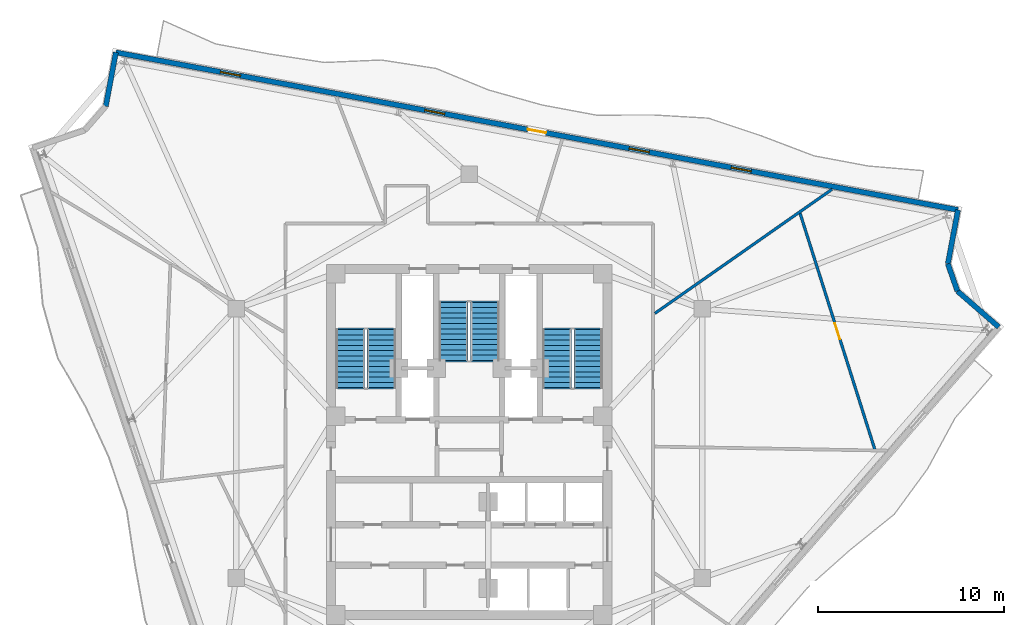
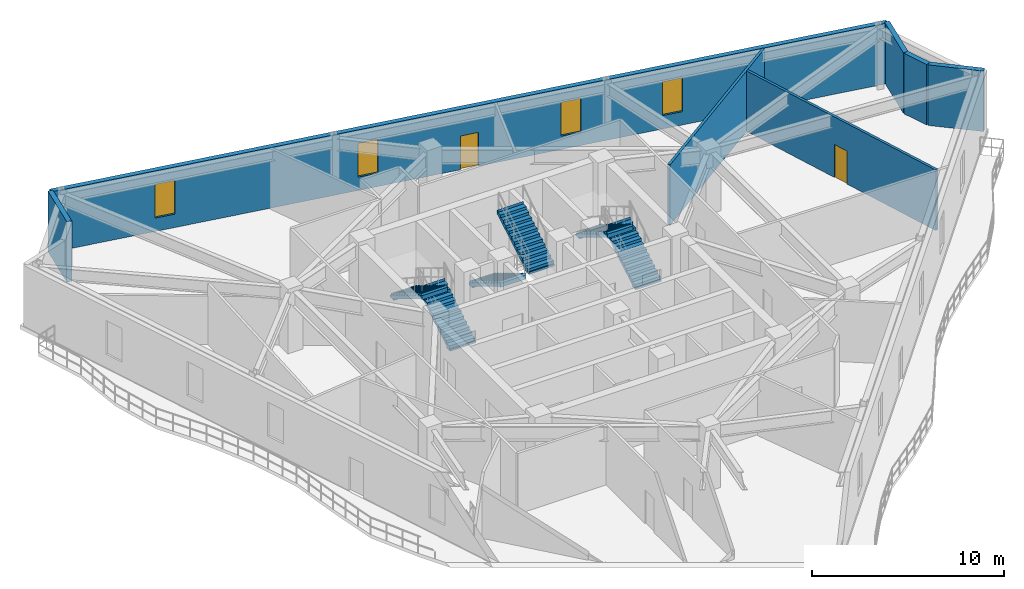
# One storey, part 7 of 10: 7 walls, 6 stair flights, 4 windows, 2 doors, 6 openings, 3 elements without a shape of their own.
"""IFC4 building model written with IfcOpenShell, lengths in metres."""

from ifc_helpers import new_model, si_unit, direction, frame, frame_2d, origin, place, context, subcontext, project, spatial, polyline, rectangle, outline, extrude, material, layer, layer_set, type_object, element, fill, aggregate, save


model = new_model("IFC4")

# Units and contexts
model_context = context("Model", 3, precision=1e-05, world=origin(), true_north=direction((0.0, 1.0)))
body_context = subcontext(model_context, "Body", "Model", "MODEL_VIEW")
ifc_project = project(units=[si_unit("LENGTHUNIT", "METRE"), si_unit("AREAUNIT", "SQUARE_METRE"), si_unit("VOLUMEUNIT", "CUBIC_METRE"), si_unit("PLANEANGLEUNIT", "RADIAN"), si_unit("MASSUNIT", "GRAM", prefix="KILO")], contexts=[model_context])

# Site, building, storey
site_placement = place(None, origin())
site = spatial("IfcSite", under=ifc_project, at=site_placement, CompositionType="ELEMENT")
building_placement = place(site_placement, origin())
building = spatial("IfcBuilding", under=site, at=building_placement, Name="Apsidion Concourse Tower", CompositionType="ELEMENT")
storey_placement = place(building_placement, frame((0.0, 0.0, 265.5)))
storey = spatial("IfcBuildingStorey", under=building, at=storey_placement, Name="L62", CompositionType="ELEMENT", Elevation=265.5)

# Wall, openings, door, windows
ifc_material_1 = material(Name="Precast concrete C40/50", Category="concrete")
ifc_layer_1 = layer(ifc_material_1, 0.280029296875)
ifc_layer_set_1 = layer_set([ifc_layer_1], Name="Precast concrete C40/50")
wall_type_1 = type_object("IfcWallType", Name="WL-EXT-280", PredefinedType="STANDARD", material=ifc_layer_set_1)
wall_1_placement = place(storey_placement, frame((-19.04150390625, 21.06640625, 0.0), z_axis=(0.0, 0.0, 1.0), x_axis=(0.982948140881, -0.183882985453, 0.0)))
wall_1 = element("IfcWall", 1, at=wall_1_placement, inside=storey, type_object=wall_type_1, Name="L62 Precast Stone Facade Wall 01", PredefinedType="STANDARD", context=body_context, shape_type="SweptSolid", body=[
    extrude(rectangle(XDim=46.16259765625, YDim=0.280029296875, at=frame_2d((23.081298828125, 0.0))), origin(), (0.0, 0.0, 1.0), 3.85009765625),
])
opening_1_placement = place(wall_1_placement, frame((22.581298828125, 0.0, 0.0)))
opening_1 = element("IfcOpeningElement", 2, at=opening_1_placement, cuts=wall_1, Name="Opening D-T1L", PredefinedType="OPENING", context=body_context, shape_type="SweptSolid", body=[
    extrude(rectangle(XDim=1.0, YDim=2.14990234375, at=frame_2d((0.5, 1.074951171875))), frame((0.0, 0.14990234375, 0.0), z_axis=(0.0, -1.0, 0.0), x_axis=(1.0, 0.0, 0.0)), (0.0, 0.0, 1.0), 0.300048828125),
])
opening_2_placement = place(wall_1_placement, frame((5.731201171875, 0.0, 0.85009765625)))
opening_2 = element("IfcOpeningElement", 3, at=opening_2_placement, cuts=wall_1, Name="Opening WN-07", PredefinedType="OPENING", context=body_context, shape_type="SweptSolid", body=[
    extrude(rectangle(XDim=1.10009765625, YDim=2.14990234375, at=frame_2d((0.550048828125, 1.074951171875))), frame((0.0, 0.14990234375, 0.0), z_axis=(0.0, -1.0, 0.0), x_axis=(1.0, 0.0, 0.0)), (0.0, 0.0, 1.0), 0.300048828125),
])
opening_3_placement = place(wall_1_placement, frame((16.931396484375, 0.0, 0.85009765625)))
opening_3 = element("IfcOpeningElement", 4, at=opening_3_placement, cuts=wall_1, Name="Opening WN-07", PredefinedType="OPENING", context=body_context, shape_type="SweptSolid", body=[
    extrude(rectangle(XDim=1.10009765625, YDim=2.14990234375, at=frame_2d((0.550048828125, 1.074951171875))), frame((0.0, 0.14990234375, 0.0), z_axis=(0.0, -1.0, 0.0), x_axis=(1.0, 0.0, 0.0)), (0.0, 0.0, 1.0), 0.300048828125),
])
opening_4_placement = place(wall_1_placement, frame((28.13134765625, 0.0, 0.85009765625)))
opening_4 = element("IfcOpeningElement", 5, at=opening_4_placement, cuts=wall_1, Name="Opening WN-07", PredefinedType="OPENING", context=body_context, shape_type="SweptSolid", body=[
    extrude(rectangle(XDim=1.10009765625, YDim=2.14990234375, at=frame_2d((0.550048828125, 1.074951171875))), frame((0.0, 0.14990234375, 0.0), z_axis=(0.0, -1.0, 0.0), x_axis=(1.0, 0.0, 0.0)), (0.0, 0.0, 1.0), 0.300048828125),
])
opening_5_placement = place(wall_1_placement, frame((33.731201171875, 0.0, 0.85009765625)))
opening_5 = element("IfcOpeningElement", 6, at=opening_5_placement, cuts=wall_1, Name="Opening WN-07", PredefinedType="OPENING", context=body_context, shape_type="SweptSolid", body=[
    extrude(rectangle(XDim=1.10009765625, YDim=2.14990234375, at=frame_2d((0.550048828125, 1.074951171875))), frame((0.0, 0.14990234375, 0.0), z_axis=(0.0, -1.0, 0.0), x_axis=(1.0, 0.0, 0.0)), (0.0, 0.0, 1.0), 0.300048828125),
])
ifc_material_2 = material(Name="Anodised aluminium EN AW-6063 T6", Category="aluminium")
door_type_1 = type_object("IfcDoorType", Name="DR-TER-1022L", OperationType="SINGLE_SWING_LEFT", PredefinedType="DOOR", material=ifc_material_2)
door_1_placement = place(opening_1_placement, origin())
door_1 = element("IfcDoor", 7, at=door_1_placement, inside=storey, type_object=door_type_1, Name="L62 Balcony Access Door 3", OperationType="SINGLE_SWING_LEFT", OverallHeight=2.14990234375, OverallWidth=1.0, PredefinedType="DOOR", context=body_context, shape_type="SweptSolid", body=[
    extrude(rectangle(XDim=1.0, YDim=2.14990234375, at=frame_2d((0.5, 1.074951171875))), frame((0.0, 0.02490234375, 0.0), z_axis=(0.0, -1.0, 0.0), x_axis=(1.0, 0.0, 0.0)), (0.0, 0.0, 1.0), 0.050048828125),
])
fill(opening_1, door_1)
ifc_material_3 = material(Name="Insulated laminated low-E glass", Category="glass")
window_type = type_object("IfcWindowType", Name="WN-OFF-1123", PartitioningType="SINGLE_PANEL", PredefinedType="WINDOW", material=ifc_material_3)
window_1_placement = place(opening_2_placement, origin())
window_1 = element("IfcWindow", 8, at=window_1_placement, inside=storey, type_object=window_type, Name="L62 Punched Facade Window 1-01", OverallHeight=2.14990234375, OverallWidth=1.10009765625, PartitioningType="SINGLE_PANEL", PredefinedType="WINDOW", context=body_context, shape_type="SweptSolid", body=[
    extrude(rectangle(XDim=1.10009765625, YDim=2.14990234375, at=frame_2d((0.550048828125, 1.074951171875))), frame((0.0, 0.030029296875, 0.0), z_axis=(0.0, -1.0, 0.0), x_axis=(1.0, 0.0, 0.0)), (0.0, 0.0, 1.0), 0.06005859375),
])
fill(opening_2, window_1)
window_2_placement = place(opening_3_placement, origin())
window_2 = element("IfcWindow", 9, at=window_2_placement, inside=storey, type_object=window_type, Name="L62 Punched Facade Window 1-03", OverallHeight=2.14990234375, OverallWidth=1.10009765625, PartitioningType="SINGLE_PANEL", PredefinedType="WINDOW", context=body_context, shape_type="SweptSolid", body=[
    extrude(rectangle(XDim=1.10009765625, YDim=2.14990234375, at=frame_2d((0.550048828125, 1.074951171875))), frame((0.0, 0.030029296875, 0.0), z_axis=(0.0, -1.0, 0.0), x_axis=(1.0, 0.0, 0.0)), (0.0, 0.0, 1.0), 0.06005859375),
])
fill(opening_3, window_2)
window_3_placement = place(opening_4_placement, origin())
window_3 = element("IfcWindow", 10, at=window_3_placement, inside=storey, type_object=window_type, Name="L62 Punched Facade Window 1-05", OverallHeight=2.14990234375, OverallWidth=1.10009765625, PartitioningType="SINGLE_PANEL", PredefinedType="WINDOW", context=body_context, shape_type="SweptSolid", body=[
    extrude(rectangle(XDim=1.10009765625, YDim=2.14990234375, at=frame_2d((0.550048828125, 1.074951171875))), frame((0.0, 0.030029296875, 0.0), z_axis=(0.0, -1.0, 0.0), x_axis=(1.0, 0.0, 0.0)), (0.0, 0.0, 1.0), 0.06005859375),
])
fill(opening_4, window_3)
window_4_placement = place(opening_5_placement, origin())
window_4 = element("IfcWindow", 11, at=window_4_placement, inside=storey, type_object=window_type, Name="L62 Punched Facade Window 1-06", OverallHeight=2.14990234375, OverallWidth=1.10009765625, PartitioningType="SINGLE_PANEL", PredefinedType="WINDOW", context=body_context, shape_type="SweptSolid", body=[
    extrude(rectangle(XDim=1.10009765625, YDim=2.14990234375, at=frame_2d((0.550048828125, 1.074951171875))), frame((0.0, 0.030029296875, 0.0), z_axis=(0.0, -1.0, 0.0), x_axis=(1.0, 0.0, 0.0)), (0.0, 0.0, 1.0), 0.06005859375),
])
fill(opening_5, window_4)

# Walls
wall_2_placement = place(storey_placement, frame((26.333984375, 12.577880859375, 0.0), z_axis=(0.0, 0.0, 1.0), x_axis=(-0.183929325972, -0.982939470694, 0.0)))
element("IfcWall", 12, at=wall_2_placement, inside=storey, type_object=wall_type_1, Name="L62 Precast Stone Facade Wall 02", PredefinedType="STANDARD", context=body_context, shape_type="SweptSolid", body=[
    extrude(rectangle(XDim=2.95458984375, YDim=0.280029296875, at=frame_2d((1.477294921875, 0.0))), origin(), (0.0, 0.0, 1.0), 3.85009765625),
])
wall_3_placement = place(storey_placement, frame((25.79052734375, 9.673583984375, 0.0), z_axis=(0.0, 0.0, 1.0), x_axis=(0.328922695325, -0.944356850189, 0.0)))
element("IfcWall", 13, at=wall_3_placement, inside=storey, type_object=wall_type_1, Name="L62 Precast Stone Facade Wall 03", PredefinedType="STANDARD", context=body_context, shape_type="SweptSolid", body=[
    extrude(rectangle(XDim=1.55419921875, YDim=0.280029296875, at=frame_2d((0.777099609375, 0.0))), origin(), (0.0, 0.0, 1.0), 3.85009765625),
])
wall_4_placement = place(storey_placement, frame((26.3017578125, 8.205810546875, 0.0), z_axis=(0.0, 0.0, 1.0), x_axis=(0.754717590568, -0.656049814028, 0.0)))
element("IfcWall", 14, at=wall_4_placement, inside=storey, type_object=wall_type_1, Name="L62 Precast Stone Facade Wall 04", PredefinedType="STANDARD", context=body_context, shape_type="SweptSolid", body=[
    extrude(rectangle(XDim=2.954345703125, YDim=0.280029296875, at=frame_2d((1.47705078125, 0.0))), origin(), (0.0, 0.0, 1.0), 3.85009765625),
])
wall_5_placement = place(storey_placement, frame((-19.5849609375, 18.1611328125, 0.0), z_axis=(0.0, 0.0, 1.0), x_axis=(0.183869591509, 0.982950646431, 0.0)))
element("IfcWall", 15, at=wall_5_placement, inside=storey, type_object=wall_type_1, Name="L62 Precast Stone Facade Wall 12", PredefinedType="STANDARD", context=body_context, shape_type="SweptSolid", body=[
    extrude(rectangle(XDim=2.95556640625, YDim=0.280029296875, at=frame_2d((1.477783203125, 0.0))), origin(), (0.0, 0.0, 1.0), 3.85009765625),
])
ifc_material_4 = material(Name="Gypsum plasterboard partition")
ifc_layer_2 = layer(ifc_material_4, 0.14990234375)
ifc_layer_set_2 = layer_set([ifc_layer_2], Name="Gypsum plasterboard partition")
wall_type_2 = type_object("IfcWallType", Name="WL-INT-PAR-150", PredefinedType="PARTITIONING", material=ifc_layer_set_2)
wall_6_placement = place(storey_placement, frame((10.0048828125, 7.005615234375, 0.0), z_axis=(0.0, 0.0, 1.0), x_axis=(0.819159076048, 0.573566393828, 0.0)))
element("IfcWall", 16, at=wall_6_placement, inside=storey, type_object=wall_type_2, Name="L62 Interior Partition WL-L62-RAD-01-1", PredefinedType="PARTITIONING", context=body_context, shape_type="SweptSolid", body=[
    extrude(rectangle(XDim=11.652587890625, YDim=0.14990234375, at=frame_2d((5.826171875, 0.0))), origin(), (0.0, 0.0, 1.0), 3.85009765625),
])

# Wall, opening, door
wall_7_placement = place(storey_placement, frame((21.86181640625, -0.356689453125, 0.0), z_axis=(0.0, 0.0, 1.0), x_axis=(-0.301726678662, 0.95339446788, 0.0)))
wall_7 = element("IfcWall", 17, at=wall_7_placement, inside=storey, type_object=wall_type_2, Name="L62 Interior Partition WL-L62-CHD-OFS05", PredefinedType="PARTITIONING", context=body_context, shape_type="SweptSolid", body=[
    extrude(rectangle(XDim=13.423828125, YDim=0.14990234375, at=frame_2d((6.7119140625, 0.0))), origin(), (0.0, 0.0, 1.0), 3.85009765625),
])
opening_6_placement = place(wall_7_placement, frame((6.26171875, 0.0, 0.0)))
opening_6 = element("IfcOpeningElement", 18, at=opening_6_placement, cuts=wall_7, Name="Opening D-02R", PredefinedType="OPENING", context=body_context, shape_type="SweptSolid", body=[
    extrude(rectangle(XDim=0.89990234375, YDim=2.10009765625, at=frame_2d((0.449951171875, 1.050048828125))), frame((0.0, 0.0849609375, 0.0), z_axis=(0.0, -1.0, 0.0), x_axis=(1.0, 0.0, 0.0)), (0.0, 0.0, 1.0), 0.169921875),
])
door_type_2 = type_object("IfcDoorType", Name="DR-INT-D02R", OperationType="SINGLE_SWING_RIGHT", PredefinedType="DOOR", material=ifc_material_2)
door_2_placement = place(opening_6_placement, origin())
door_2 = element("IfcDoor", 19, at=door_2_placement, inside=storey, type_object=door_type_2, Name="L62 Suite Connecting Door OFS05", OperationType="SINGLE_SWING_RIGHT", OverallHeight=2.10009765625, OverallWidth=0.89990234375, PredefinedType="DOOR", context=body_context, shape_type="SweptSolid", body=[
    extrude(rectangle(XDim=0.89990234375, YDim=2.10009765625, at=frame_2d((0.449951171875, 1.050048828125))), frame((0.0, 0.02490234375, 0.0), z_axis=(0.0, -1.0, 0.0), x_axis=(1.0, 0.0, 0.0)), (0.0, 0.0, 1.0), 0.050048828125),
])
fill(opening_6, door_2)

# Stair, stair flights
stair_type = type_object("IfcStairType", Name="ST-DL-1550", PredefinedType="HALF_TURN_STAIR", material=ifc_material_1)
stair_1_placement = place(storey_placement, origin())
stair_1 = element("IfcStair", 20, at=stair_1_placement, inside=storey, type_object=stair_type, Name="L62 Protected Core Exit Stair ST1", PredefinedType="HALF_TURN_STAIR")
stair_flight_type = type_object("IfcStairFlightType", Name="SFL-RC-1550", PredefinedType="STRAIGHT", material=ifc_material_1)
stair_flight_1_placement = place(storey_placement, frame((-4.72509765625, 3.0, 0.0), z_axis=(0.0, 0.0, 1.0), x_axis=(0.0, 1.0, 0.0)))
stair_flight_1 = element("IfcStairFlight", 21, at=stair_flight_1_placement, type_object=stair_flight_type, Name="ST1 flight 1", NumberOfRisers=12, NumberOfTreads=11, PredefinedType="STRAIGHT", RiserHeight=0.170833333, TreadLength=0.285, context=body_context, shape_type="SweptSolid", body=[
    extrude(outline(polyline([(-0.080078125, -0.1123046875), (-0.080078125, 0.0), (0.0, 0.0), (0.0, 0.1708984375), (0.284912109375, 0.1708984375), (0.284912109375, 0.341552734375), (0.570068359375, 0.341552734375), (0.570068359375, 0.512451171875), (0.85498046875, 0.512451171875), (0.85498046875, 0.683349609375), (1.139892578125, 0.683349609375), (1.139892578125, 0.854248046875), (1.425048828125, 0.854248046875), (1.425048828125, 1.02490234375), (1.7099609375, 1.02490234375), (1.7099609375, 1.19580078125), (1.9951171875, 1.19580078125), (1.9951171875, 1.36669921875), (2.280029296875, 1.36669921875), (2.280029296875, 1.53759765625), (2.56494140625, 1.53759765625), (2.56494140625, 1.708251953125), (2.85009765625, 1.708251953125), (2.85009765625, 1.879150390625), (3.135009765625, 1.879150390625), (3.135009765625, 2.050048828125), (3.215087890625, 1.964599609375), (3.215087890625, 1.704345703125), (3.135009765625, 1.704345703125), (0.29150390625, 0.0), (0.29150390625, -0.1123046875), (-0.080078125, -0.1123046875)])), frame((0.0, 0.77490234375, 0.0), z_axis=(0.0, -1.0, 0.0), x_axis=(1.0, 0.0, 0.0)), (0.0, 0.0, 1.0), 1.550048828125),
])
stair_flight_2_placement = place(storey_placement, frame((-6.425048828125, 6.135009765625, 2.050048828125), z_axis=(0.0, 0.0, 1.0), x_axis=(0.0, -1.0, 0.0)))
stair_flight_2 = element("IfcStairFlight", 22, at=stair_flight_2_placement, type_object=stair_flight_type, Name="ST1 flight 2", NumberOfRisers=12, NumberOfTreads=11, PredefinedType="STRAIGHT", RiserHeight=0.170833333, TreadLength=0.285, context=body_context, shape_type="SweptSolid", body=[
    extrude(outline(polyline([(-0.080078125, -0.1123046875), (-0.080078125, 0.0), (0.0, 0.0), (0.0, 0.1708984375), (0.284912109375, 0.1708984375), (0.284912109375, 0.341552734375), (0.570068359375, 0.341552734375), (0.570068359375, 0.512451171875), (0.85498046875, 0.512451171875), (0.85498046875, 0.683349609375), (1.139892578125, 0.683349609375), (1.139892578125, 0.854248046875), (1.425048828125, 0.854248046875), (1.425048828125, 1.02490234375), (1.7099609375, 1.02490234375), (1.7099609375, 1.19580078125), (1.9951171875, 1.19580078125), (1.9951171875, 1.36669921875), (2.280029296875, 1.36669921875), (2.280029296875, 1.53759765625), (2.56494140625, 1.53759765625), (2.56494140625, 1.708251953125), (2.85009765625, 1.708251953125), (2.85009765625, 1.879150390625), (3.135009765625, 1.879150390625), (3.135009765625, 2.050048828125), (3.215087890625, 1.964599609375), (3.215087890625, 1.704345703125), (3.135009765625, 1.704345703125), (0.29150390625, 0.0), (0.29150390625, -0.1123046875), (-0.080078125, -0.1123046875)])), frame((0.0, 0.77490234375, 0.0), z_axis=(0.0, -1.0, 0.0), x_axis=(1.0, 0.0, 0.0)), (0.0, 0.0, 1.0), 1.550048828125),
])
aggregate(stair_1, [stair_flight_1, stair_flight_2])

stair_2_placement = place(storey_placement, origin())
stair_2 = element("IfcStair", 23, at=stair_2_placement, inside=storey, type_object=stair_type, Name="L62 Protected Core Exit Stair ST2", PredefinedType="HALF_TURN_STAIR")
stair_flight_3_placement = place(storey_placement, frame((6.425048828125, 3.0, 0.0), z_axis=(0.0, 0.0, 1.0), x_axis=(0.0, 1.0, 0.0)))
stair_flight_3 = element("IfcStairFlight", 24, at=stair_flight_3_placement, type_object=stair_flight_type, Name="ST2 flight 1", NumberOfRisers=12, NumberOfTreads=11, PredefinedType="STRAIGHT", RiserHeight=0.170833333, TreadLength=0.285, context=body_context, shape_type="SweptSolid", body=[
    extrude(outline(polyline([(-0.080078125, -0.1123046875), (-0.080078125, 0.0), (0.0, 0.0), (0.0, 0.1708984375), (0.284912109375, 0.1708984375), (0.284912109375, 0.341552734375), (0.570068359375, 0.341552734375), (0.570068359375, 0.512451171875), (0.85498046875, 0.512451171875), (0.85498046875, 0.683349609375), (1.139892578125, 0.683349609375), (1.139892578125, 0.854248046875), (1.425048828125, 0.854248046875), (1.425048828125, 1.02490234375), (1.7099609375, 1.02490234375), (1.7099609375, 1.19580078125), (1.9951171875, 1.19580078125), (1.9951171875, 1.36669921875), (2.280029296875, 1.36669921875), (2.280029296875, 1.53759765625), (2.56494140625, 1.53759765625), (2.56494140625, 1.708251953125), (2.85009765625, 1.708251953125), (2.85009765625, 1.879150390625), (3.135009765625, 1.879150390625), (3.135009765625, 2.050048828125), (3.215087890625, 1.964599609375), (3.215087890625, 1.704345703125), (3.135009765625, 1.704345703125), (0.29150390625, 0.0), (0.29150390625, -0.1123046875), (-0.080078125, -0.1123046875)])), frame((0.0, 0.77490234375, 0.0), z_axis=(0.0, -1.0, 0.0), x_axis=(1.0, 0.0, 0.0)), (0.0, 0.0, 1.0), 1.550048828125),
])
stair_flight_4_placement = place(storey_placement, frame((4.72509765625, 6.135009765625, 2.050048828125), z_axis=(0.0, 0.0, 1.0), x_axis=(0.0, -1.0, 0.0)))
stair_flight_4 = element("IfcStairFlight", 25, at=stair_flight_4_placement, type_object=stair_flight_type, Name="ST2 flight 2", NumberOfRisers=12, NumberOfTreads=11, PredefinedType="STRAIGHT", RiserHeight=0.170833333, TreadLength=0.285, context=body_context, shape_type="SweptSolid", body=[
    extrude(outline(polyline([(-0.080078125, -0.1123046875), (-0.080078125, 0.0), (0.0, 0.0), (0.0, 0.1708984375), (0.284912109375, 0.1708984375), (0.284912109375, 0.341552734375), (0.570068359375, 0.341552734375), (0.570068359375, 0.512451171875), (0.85498046875, 0.512451171875), (0.85498046875, 0.683349609375), (1.139892578125, 0.683349609375), (1.139892578125, 0.854248046875), (1.425048828125, 0.854248046875), (1.425048828125, 1.02490234375), (1.7099609375, 1.02490234375), (1.7099609375, 1.19580078125), (1.9951171875, 1.19580078125), (1.9951171875, 1.36669921875), (2.280029296875, 1.36669921875), (2.280029296875, 1.53759765625), (2.56494140625, 1.53759765625), (2.56494140625, 1.708251953125), (2.85009765625, 1.708251953125), (2.85009765625, 1.879150390625), (3.135009765625, 1.879150390625), (3.135009765625, 2.050048828125), (3.215087890625, 1.964599609375), (3.215087890625, 1.704345703125), (3.135009765625, 1.704345703125), (0.29150390625, 0.0), (0.29150390625, -0.1123046875), (-0.080078125, -0.1123046875)])), frame((0.0, 0.77490234375, 0.0), z_axis=(0.0, -1.0, 0.0), x_axis=(1.0, 0.0, 0.0)), (0.0, 0.0, 1.0), 1.550048828125),
])
aggregate(stair_2, [stair_flight_3, stair_flight_4])

stair_3_placement = place(storey_placement, origin())
stair_3 = element("IfcStair", 26, at=stair_3_placement, inside=storey, type_object=stair_type, Name="L62 Protected Core Exit Stair ST3", PredefinedType="HALF_TURN_STAIR")
stair_flight_5_placement = place(storey_placement, frame((-0.85009765625, 7.60009765625, 0.0), z_axis=(0.0, 0.0, 1.0), x_axis=(0.0, -1.0, 0.0)))
stair_flight_5 = element("IfcStairFlight", 27, at=stair_flight_5_placement, type_object=stair_flight_type, Name="ST3 flight 1", NumberOfRisers=12, NumberOfTreads=11, PredefinedType="STRAIGHT", RiserHeight=0.170833333, TreadLength=0.285, context=body_context, shape_type="SweptSolid", body=[
    extrude(outline(polyline([(-0.080078125, -0.1123046875), (-0.080078125, 0.0), (0.0, 0.0), (0.0, 0.1708984375), (0.284912109375, 0.1708984375), (0.284912109375, 0.341552734375), (0.570068359375, 0.341552734375), (0.570068359375, 0.512451171875), (0.85498046875, 0.512451171875), (0.85498046875, 0.683349609375), (1.139892578125, 0.683349609375), (1.139892578125, 0.854248046875), (1.425048828125, 0.854248046875), (1.425048828125, 1.02490234375), (1.7099609375, 1.02490234375), (1.7099609375, 1.19580078125), (1.9951171875, 1.19580078125), (1.9951171875, 1.36669921875), (2.280029296875, 1.36669921875), (2.280029296875, 1.53759765625), (2.56494140625, 1.53759765625), (2.56494140625, 1.708251953125), (2.85009765625, 1.708251953125), (2.85009765625, 1.879150390625), (3.135009765625, 1.879150390625), (3.135009765625, 2.050048828125), (3.215087890625, 1.964599609375), (3.215087890625, 1.704345703125), (3.135009765625, 1.704345703125), (0.29150390625, 0.0), (0.29150390625, -0.1123046875), (-0.080078125, -0.1123046875)])), frame((0.0, 0.77490234375, 0.0), z_axis=(0.0, -1.0, 0.0), x_axis=(1.0, 0.0, 0.0)), (0.0, 0.0, 1.0), 1.550048828125),
])
stair_flight_6_placement = place(storey_placement, frame((0.85009765625, 4.465087890625, 2.050048828125), z_axis=(0.0, 0.0, 1.0), x_axis=(0.0, 1.0, 0.0)))
stair_flight_6 = element("IfcStairFlight", 28, at=stair_flight_6_placement, type_object=stair_flight_type, Name="ST3 flight 2", NumberOfRisers=12, NumberOfTreads=11, PredefinedType="STRAIGHT", RiserHeight=0.170833333, TreadLength=0.285, context=body_context, shape_type="SweptSolid", body=[
    extrude(outline(polyline([(-0.080078125, -0.1123046875), (-0.080078125, 0.0), (0.0, 0.0), (0.0, 0.1708984375), (0.284912109375, 0.1708984375), (0.284912109375, 0.341552734375), (0.570068359375, 0.341552734375), (0.570068359375, 0.512451171875), (0.85498046875, 0.512451171875), (0.85498046875, 0.683349609375), (1.139892578125, 0.683349609375), (1.139892578125, 0.854248046875), (1.425048828125, 0.854248046875), (1.425048828125, 1.02490234375), (1.7099609375, 1.02490234375), (1.7099609375, 1.19580078125), (1.9951171875, 1.19580078125), (1.9951171875, 1.36669921875), (2.280029296875, 1.36669921875), (2.280029296875, 1.53759765625), (2.56494140625, 1.53759765625), (2.56494140625, 1.708251953125), (2.85009765625, 1.708251953125), (2.85009765625, 1.879150390625), (3.135009765625, 1.879150390625), (3.135009765625, 2.050048828125), (3.215087890625, 1.964599609375), (3.215087890625, 1.704345703125), (3.135009765625, 1.704345703125), (0.29150390625, 0.0), (0.29150390625, -0.1123046875), (-0.080078125, -0.1123046875)])), frame((0.0, 0.77490234375, 0.0), z_axis=(0.0, -1.0, 0.0), x_axis=(1.0, 0.0, 0.0)), (0.0, 0.0, 1.0), 1.550048828125),
])
aggregate(stair_3, [stair_flight_5, stair_flight_6])

save(model, "model.ifc")
